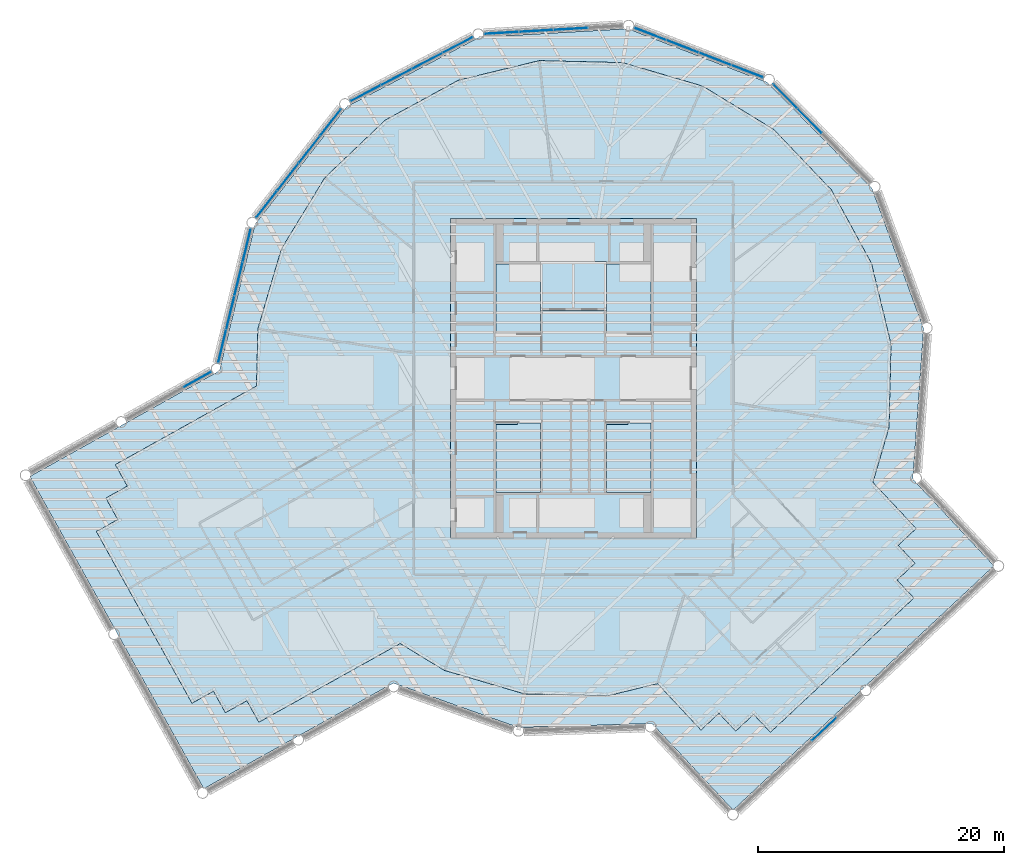
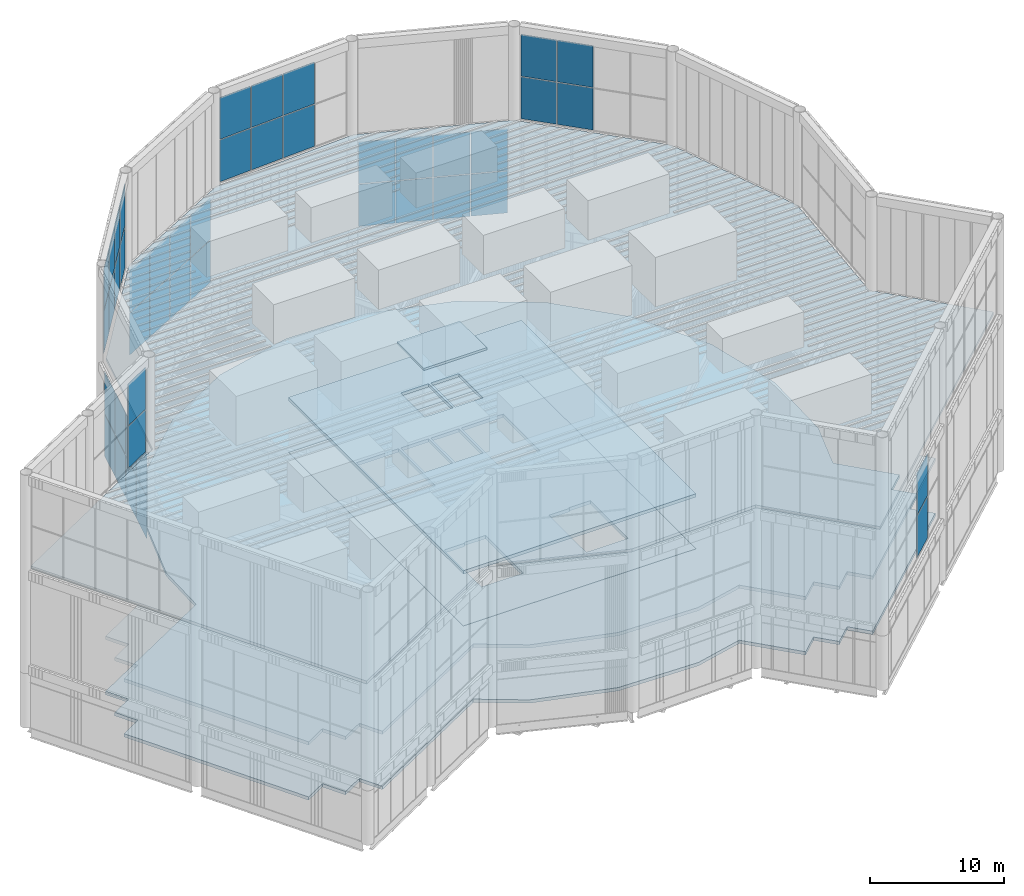
# One storey, part 80 of 117: 46 plates, 6 slabs, 8 elements without a shape of their own.
"""IFC4 building model written with IfcOpenShell, lengths in metres."""

from ifc_helpers import new_model, si_unit, direction, frame, origin, origin_2d, place, context, subcontext, project, spatial, polyline, rectangle, outline, extrude, material, layer, layer_set, type_object, element, aggregate, save


model = new_model("IFC4")

# Units and contexts
model_context = context("Model", 3, precision=1e-05, world=origin(), true_north=direction((0.0, 1.0)))
body_context = subcontext(model_context, "Body", "Model", "MODEL_VIEW")
ifc_project = project(units=[si_unit("LENGTHUNIT", "METRE"), si_unit("AREAUNIT", "SQUARE_METRE"), si_unit("VOLUMEUNIT", "CUBIC_METRE"), si_unit("PLANEANGLEUNIT", "RADIAN"), si_unit("MASSUNIT", "GRAM", prefix="KILO")], contexts=[model_context])

# Site, building, storey
site_placement = place(None, origin())
site = spatial("IfcSite", under=ifc_project, at=site_placement, CompositionType="ELEMENT")
building_placement = place(site_placement, origin())
building = spatial("IfcBuilding", under=site, at=building_placement, Name="Tarsis Ring Headquarters", CompositionType="ELEMENT")
storey_placement = place(building_placement, frame((0.0, 0.0, 403.60009765625)))
storey = spatial("IfcBuildingStorey", under=building, at=storey_placement, Name="L95", CompositionType="ELEMENT", Elevation=403.60009765625)

# Slabs
ifc_material_1 = material(Name="Concrete C40/50", Category="concrete")
ifc_layer_1 = layer(ifc_material_1, 0.300048828125)
ifc_layer_set_1 = layer_set([ifc_layer_1], Name="Core floor slab 300 C40/50")
slab_type_1 = type_object("IfcSlabType", Name="Core floor slab 300 C40/50", PredefinedType="FLOOR", material=ifc_layer_set_1)
slab_1_placement = place(storey_placement, frame((0.0, 0.0, -0.300048828125)))
element("IfcSlab", 1, at=slab_1_placement, inside=storey, type_object=slab_type_1, Name="L95 core floor slab", PredefinedType="FLOOR", context=body_context, shape_type="SweptSolid", body=[
    extrude(outline(polyline([(-10.0, -13.0), (10.0, -13.0), (10.0, 13.0), (-10.0, 13.0), (-10.0, -13.0)]), holes=[polyline([(-2.5, 5.699951171875), (-0.10009765625, 5.699951171875), (-0.10009765625, 9.300048828125), (-2.5, 9.300048828125), (-2.5, 5.699951171875)]), polyline([(0.10009765625, 5.699951171875), (2.5, 5.699951171875), (2.5, 9.300048828125), (0.10009765625, 9.300048828125), (0.10009765625, 5.699951171875)]), polyline([(-2.699951171875, 3.760009765625), (-2.699951171875, 9.300048828125), (-6.300048828125, 9.300048828125), (-6.300048828125, 3.659912109375), (-4.4599609375, 3.659912109375), (-4.4599609375, 3.760009765625), (-2.699951171875, 3.760009765625)]), polyline([(6.300048828125, 3.760009765625), (6.300048828125, 9.300048828125), (2.699951171875, 9.300048828125), (2.699951171875, 3.659912109375), (4.5400390625, 3.659912109375), (4.5400390625, 3.760009765625), (6.300048828125, 3.760009765625)]), polyline([(-6.300048828125, -3.760009765625), (-6.300048828125, -9.300048828125), (-2.699951171875, -9.300048828125), (-2.699951171875, -3.659912109375), (-4.5400390625, -3.659912109375), (-4.5400390625, -3.760009765625), (-6.300048828125, -3.760009765625)]), polyline([(2.699951171875, -3.760009765625), (2.699951171875, -9.300048828125), (6.300048828125, -9.300048828125), (6.300048828125, -3.659912109375), (4.4599609375, -3.659912109375), (4.4599609375, -3.760009765625), (2.699951171875, -3.760009765625)])]), origin(), (0.0, 0.0, 1.0), 0.300048828125),
])
ifc_layer_2 = layer(ifc_material_1, 0.300048828125)
ifc_layer_set_2 = layer_set([ifc_layer_2], Name="Core roof slab 300 C40/50")
slab_type_2 = type_object("IfcSlabType", Name="Core roof slab 300 C40/50", PredefinedType="ROOF", material=ifc_layer_set_2)
slab_2_placement = place(storey_placement, frame((0.0, 0.0, 4.699951171875)))
element("IfcSlab", 2, at=slab_2_placement, inside=storey, type_object=slab_type_2, Name="Core roof slab", PredefinedType="ROOF", context=body_context, shape_type="SweptSolid", body=[
    extrude(outline(polyline([(-10.0, -13.0), (10.0, -13.0), (10.0, 13.0), (-10.0, 13.0), (-10.0, -13.0)]), holes=[polyline([(-2.5, 5.699951171875), (-0.10009765625, 5.699951171875), (-0.10009765625, 9.300048828125), (-2.5, 9.300048828125), (-2.5, 5.699951171875)]), polyline([(0.10009765625, 5.699951171875), (2.5, 5.699951171875), (2.5, 9.300048828125), (0.10009765625, 9.300048828125), (0.10009765625, 5.699951171875)])]), origin(), (0.0, 0.0, 1.0), 0.300048828125),
])

# Curtain wall, plates
ifc_material_2 = material(Name="Aluminium curtain wall", Category="aluminium")
ifc_layer_3 = layer(ifc_material_2, 0.179931640625)
ifc_layer_set_3 = layer_set([ifc_layer_3], Name="Curtain wall crown glazing")
curtain_wall_type = type_object("IfcCurtainWallType", Name="Curtain wall crown glazing", PredefinedType="NOTDEFINED", material=ifc_layer_set_3)
curtain_wall_1_placement = place(storey_placement, origin())
curtain_wall_1 = element("IfcCurtainWall", 3, at=curtain_wall_1_placement, inside=storey, type_object=curtain_wall_type, Name="Crown glazing L3", PredefinedType="NOTDEFINED")
ifc_material_3 = material(Name="Clear double glazing", Category="glass")
ifc_layer_4 = layer(ifc_material_3, 0.031982421875)
ifc_layer_set_4 = layer_set([ifc_layer_4], Name="Crown glazing glass panel")
plate_type = type_object("IfcPlateType", Name="Crown glazing glass panel", PredefinedType="CURTAIN_PANEL", material=ifc_layer_set_4)
plate_1_placement = place(storey_placement, frame((20.41259765625, -28.561279296875, 5.869873046875), z_axis=(0.0, 0.0, 1.0), x_axis=(0.729923774312, 0.683528553678, 0.0)))
plate_1 = element("IfcPlate", 4, at=plate_1_placement, type_object=plate_type, Name="CW-C panel 4.1", PredefinedType="CURTAIN_PANEL", context=body_context, shape_type="SweptSolid", body=[
    extrude(rectangle(XDim=2.707275390625, YDim=0.031982421875, at=origin_2d()), origin(), (0.0, 0.0, 1.0), 3.794921875),
])
plate_2_placement = place(storey_placement, frame((20.41259765625, -28.561279296875, 9.73486328125), z_axis=(0.0, 0.0, 1.0), x_axis=(0.729923774312, 0.683528553678, 0.0)))
plate_2 = element("IfcPlate", 5, at=plate_2_placement, type_object=plate_type, Name="CW-C panel 4.2", PredefinedType="CURTAIN_PANEL", context=body_context, shape_type="SweptSolid", body=[
    extrude(rectangle(XDim=2.707275390625, YDim=0.031982421875, at=origin_2d()), origin(), (0.0, 0.0, 1.0), 3.794921875),
])
aggregate(curtain_wall_1, [plate_1, plate_2])

curtain_wall_2_placement = place(storey_placement, origin())
curtain_wall_2 = element("IfcCurtainWall", 6, at=curtain_wall_2_placement, inside=storey, type_object=curtain_wall_type, Name="Crown glazing L9", PredefinedType="NOTDEFINED")
plate_3_placement = place(storey_placement, frame((14.150390625, 24.97998046875, 5.869873046875), z_axis=(0.0, 0.0, 1.0), x_axis=(-0.933259536423, 0.359202780717, 0.0)))
plate_3 = element("IfcPlate", 7, at=plate_3_placement, type_object=plate_type, Name="CW-C panel 1.1", PredefinedType="CURTAIN_PANEL", context=body_context, shape_type="SweptSolid", body=[
    extrude(rectangle(XDim=2.728759765625, YDim=0.031982421875, at=origin_2d()), origin(), (0.0, 0.0, 1.0), 3.794921875),
])
plate_4_placement = place(storey_placement, frame((14.150390625, 24.97998046875, 9.73486328125), z_axis=(0.0, 0.0, 1.0), x_axis=(-0.933259536423, 0.359202780717, 0.0)))
plate_4 = element("IfcPlate", 8, at=plate_4_placement, type_object=plate_type, Name="CW-C panel 1.2", PredefinedType="CURTAIN_PANEL", context=body_context, shape_type="SweptSolid", body=[
    extrude(rectangle(XDim=2.728759765625, YDim=0.031982421875, at=origin_2d()), origin(), (0.0, 0.0, 1.0), 3.794921875),
])
plate_5_placement = place(storey_placement, frame((11.52197265625, 25.991455078125, 5.869873046875), z_axis=(0.0, 0.0, 1.0), x_axis=(-0.933259536423, 0.359202780717, 0.0)))
plate_5 = element("IfcPlate", 9, at=plate_5_placement, type_object=plate_type, Name="CW-C panel 2.1", PredefinedType="CURTAIN_PANEL", context=body_context, shape_type="SweptSolid", body=[
    extrude(rectangle(XDim=2.763671875, YDim=0.031982421875, at=origin_2d()), origin(), (0.0, 0.0, 1.0), 3.794921875),
])
plate_6_placement = place(storey_placement, frame((11.52197265625, 25.991455078125, 9.73486328125), z_axis=(0.0, 0.0, 1.0), x_axis=(-0.933259536423, 0.359202780717, 0.0)))
plate_6 = element("IfcPlate", 10, at=plate_6_placement, type_object=plate_type, Name="CW-C panel 2.2", PredefinedType="CURTAIN_PANEL", context=body_context, shape_type="SweptSolid", body=[
    extrude(rectangle(XDim=2.763671875, YDim=0.031982421875, at=origin_2d()), origin(), (0.0, 0.0, 1.0), 3.794921875),
])
plate_7_placement = place(storey_placement, frame((8.87744140625, 27.00927734375, 5.869873046875), z_axis=(0.0, 0.0, 1.0), x_axis=(-0.933259536423, 0.359202780717, 0.0)))
plate_7 = element("IfcPlate", 11, at=plate_7_placement, type_object=plate_type, Name="CW-C panel 3.1", PredefinedType="CURTAIN_PANEL", context=body_context, shape_type="SweptSolid", body=[
    extrude(rectangle(XDim=2.763671875, YDim=0.031982421875, at=origin_2d()), origin(), (0.0, 0.0, 1.0), 3.794921875),
])
plate_8_placement = place(storey_placement, frame((8.87744140625, 27.00927734375, 9.73486328125), z_axis=(0.0, 0.0, 1.0), x_axis=(-0.933259536423, 0.359202780717, 0.0)))
plate_8 = element("IfcPlate", 12, at=plate_8_placement, type_object=plate_type, Name="CW-C panel 3.2", PredefinedType="CURTAIN_PANEL", context=body_context, shape_type="SweptSolid", body=[
    extrude(rectangle(XDim=2.763671875, YDim=0.031982421875, at=origin_2d()), origin(), (0.0, 0.0, 1.0), 3.794921875),
])
plate_9_placement = place(storey_placement, frame((6.249267578125, 28.02099609375, 5.869873046875), z_axis=(0.0, 0.0, 1.0), x_axis=(-0.933259536423, 0.359202780717, 0.0)))
plate_9 = element("IfcPlate", 13, at=plate_9_placement, type_object=plate_type, Name="CW-C panel 4.1", PredefinedType="CURTAIN_PANEL", context=body_context, shape_type="SweptSolid", body=[
    extrude(rectangle(XDim=2.728759765625, YDim=0.031982421875, at=origin_2d()), origin(), (0.0, 0.0, 1.0), 3.794921875),
])
plate_10_placement = place(storey_placement, frame((6.249267578125, 28.02099609375, 9.73486328125), z_axis=(0.0, 0.0, 1.0), x_axis=(-0.933259536423, 0.359202780717, 0.0)))
plate_10 = element("IfcPlate", 14, at=plate_10_placement, type_object=plate_type, Name="CW-C panel 4.2", PredefinedType="CURTAIN_PANEL", context=body_context, shape_type="SweptSolid", body=[
    extrude(rectangle(XDim=2.728759765625, YDim=0.031982421875, at=origin_2d()), origin(), (0.0, 0.0, 1.0), 3.794921875),
])
aggregate(curtain_wall_2, [plate_3, plate_4, plate_5, plate_6, plate_7, plate_8, plate_9, plate_10])

curtain_wall_3_placement = place(storey_placement, origin())
curtain_wall_3 = element("IfcCurtainWall", 15, at=curtain_wall_3_placement, inside=storey, type_object=curtain_wall_type, Name="Crown glazing L11", PredefinedType="NOTDEFINED")
plate_11_placement = place(storey_placement, frame((-9.420166015625, 27.119873046875, 5.869873046875), z_axis=(0.0, 0.0, 1.0), x_axis=(-0.885930657284, -0.463817712561, 0.0)))
plate_11 = element("IfcPlate", 16, at=plate_11_placement, type_object=plate_type, Name="CW-C panel 1.1", PredefinedType="CURTAIN_PANEL", context=body_context, shape_type="SweptSolid", body=[
    extrude(rectangle(XDim=2.728759765625, YDim=0.031982421875, at=origin_2d()), origin(), (0.0, 0.0, 1.0), 3.794921875),
])
plate_12_placement = place(storey_placement, frame((-9.420166015625, 27.119873046875, 9.73486328125), z_axis=(0.0, 0.0, 1.0), x_axis=(-0.885930657284, -0.463817712561, 0.0)))
plate_12 = element("IfcPlate", 17, at=plate_12_placement, type_object=plate_type, Name="CW-C panel 1.2", PredefinedType="CURTAIN_PANEL", context=body_context, shape_type="SweptSolid", body=[
    extrude(rectangle(XDim=2.728759765625, YDim=0.031982421875, at=origin_2d()), origin(), (0.0, 0.0, 1.0), 3.794921875),
])
plate_13_placement = place(storey_placement, frame((-11.9150390625, 25.813720703125, 5.869873046875), z_axis=(0.0, 0.0, 1.0), x_axis=(-0.885930657284, -0.463817712561, 0.0)))
plate_13 = element("IfcPlate", 18, at=plate_13_placement, type_object=plate_type, Name="CW-C panel 2.1", PredefinedType="CURTAIN_PANEL", context=body_context, shape_type="SweptSolid", body=[
    extrude(rectangle(XDim=2.763671875, YDim=0.031982421875, at=origin_2d()), origin(), (0.0, 0.0, 1.0), 3.794921875),
])
plate_14_placement = place(storey_placement, frame((-11.9150390625, 25.813720703125, 9.73486328125), z_axis=(0.0, 0.0, 1.0), x_axis=(-0.885930657284, -0.463817712561, 0.0)))
plate_14 = element("IfcPlate", 19, at=plate_14_placement, type_object=plate_type, Name="CW-C panel 2.2", PredefinedType="CURTAIN_PANEL", context=body_context, shape_type="SweptSolid", body=[
    extrude(rectangle(XDim=2.763671875, YDim=0.031982421875, at=origin_2d()), origin(), (0.0, 0.0, 1.0), 3.794921875),
])
plate_15_placement = place(storey_placement, frame((-14.425537109375, 24.499267578125, 5.869873046875), z_axis=(0.0, 0.0, 1.0), x_axis=(-0.885930657284, -0.463817712561, 0.0)))
plate_15 = element("IfcPlate", 20, at=plate_15_placement, type_object=plate_type, Name="CW-C panel 3.1", PredefinedType="CURTAIN_PANEL", context=body_context, shape_type="SweptSolid", body=[
    extrude(rectangle(XDim=2.763671875, YDim=0.031982421875, at=origin_2d()), origin(), (0.0, 0.0, 1.0), 3.794921875),
])
plate_16_placement = place(storey_placement, frame((-14.425537109375, 24.499267578125, 9.73486328125), z_axis=(0.0, 0.0, 1.0), x_axis=(-0.885930657284, -0.463817712561, 0.0)))
plate_16 = element("IfcPlate", 21, at=plate_16_placement, type_object=plate_type, Name="CW-C panel 3.2", PredefinedType="CURTAIN_PANEL", context=body_context, shape_type="SweptSolid", body=[
    extrude(rectangle(XDim=2.763671875, YDim=0.031982421875, at=origin_2d()), origin(), (0.0, 0.0, 1.0), 3.794921875),
])
plate_17_placement = place(storey_placement, frame((-16.920654296875, 23.193115234375, 5.869873046875), z_axis=(0.0, 0.0, 1.0), x_axis=(-0.885930657284, -0.463817712561, 0.0)))
plate_17 = element("IfcPlate", 22, at=plate_17_placement, type_object=plate_type, Name="CW-C panel 4.1", PredefinedType="CURTAIN_PANEL", context=body_context, shape_type="SweptSolid", body=[
    extrude(rectangle(XDim=2.728759765625, YDim=0.031982421875, at=origin_2d()), origin(), (0.0, 0.0, 1.0), 3.794921875),
])
plate_18_placement = place(storey_placement, frame((-16.920654296875, 23.193115234375, 9.73486328125), z_axis=(0.0, 0.0, 1.0), x_axis=(-0.885930657284, -0.463817712561, 0.0)))
plate_18 = element("IfcPlate", 23, at=plate_18_placement, type_object=plate_type, Name="CW-C panel 4.2", PredefinedType="CURTAIN_PANEL", context=body_context, shape_type="SweptSolid", body=[
    extrude(rectangle(XDim=2.728759765625, YDim=0.031982421875, at=origin_2d()), origin(), (0.0, 0.0, 1.0), 3.794921875),
])
aggregate(curtain_wall_3, [plate_11, plate_12, plate_13, plate_14, plate_15, plate_16, plate_17, plate_18])

curtain_wall_4_placement = place(storey_placement, origin())
curtain_wall_4 = element("IfcCurtainWall", 24, at=curtain_wall_4_placement, inside=storey, type_object=curtain_wall_type, Name="Crown glazing L13", PredefinedType="NOTDEFINED")
plate_19_placement = place(storey_placement, frame((-26.588623046875, 10.8291015625, 5.869873046875), z_axis=(0.0, 0.0, 1.0), x_axis=(-0.236520601779, -0.971626473978, 0.0)))
plate_19 = element("IfcPlate", 25, at=plate_19_placement, type_object=plate_type, Name="CW-C panel 1.1", PredefinedType="CURTAIN_PANEL", context=body_context, shape_type="SweptSolid", body=[
    extrude(rectangle(XDim=2.728759765625, YDim=0.031982421875, at=origin_2d()), origin(), (0.0, 0.0, 1.0), 3.794921875),
])
plate_20_placement = place(storey_placement, frame((-26.588623046875, 10.8291015625, 9.73486328125), z_axis=(0.0, 0.0, 1.0), x_axis=(-0.236520601779, -0.971626473978, 0.0)))
plate_20 = element("IfcPlate", 26, at=plate_20_placement, type_object=plate_type, Name="CW-C panel 1.2", PredefinedType="CURTAIN_PANEL", context=body_context, shape_type="SweptSolid", body=[
    extrude(rectangle(XDim=2.728759765625, YDim=0.031982421875, at=origin_2d()), origin(), (0.0, 0.0, 1.0), 3.794921875),
])
plate_21_placement = place(storey_placement, frame((-27.254638671875, 8.0927734375, 5.869873046875), z_axis=(0.0, 0.0, 1.0), x_axis=(-0.236520601779, -0.971626473978, 0.0)))
plate_21 = element("IfcPlate", 27, at=plate_21_placement, type_object=plate_type, Name="CW-C panel 2.1", PredefinedType="CURTAIN_PANEL", context=body_context, shape_type="SweptSolid", body=[
    extrude(rectangle(XDim=2.763671875, YDim=0.031982421875, at=origin_2d()), origin(), (0.0, 0.0, 1.0), 3.794921875),
])
plate_22_placement = place(storey_placement, frame((-27.254638671875, 8.0927734375, 9.73486328125), z_axis=(0.0, 0.0, 1.0), x_axis=(-0.236520601779, -0.971626473978, 0.0)))
plate_22 = element("IfcPlate", 28, at=plate_22_placement, type_object=plate_type, Name="CW-C panel 2.2", PredefinedType="CURTAIN_PANEL", context=body_context, shape_type="SweptSolid", body=[
    extrude(rectangle(XDim=2.763671875, YDim=0.031982421875, at=origin_2d()), origin(), (0.0, 0.0, 1.0), 3.794921875),
])
plate_23_placement = place(storey_placement, frame((-27.925048828125, 5.339599609375, 5.869873046875), z_axis=(0.0, 0.0, 1.0), x_axis=(-0.236520601779, -0.971626473978, 0.0)))
plate_23 = element("IfcPlate", 29, at=plate_23_placement, type_object=plate_type, Name="CW-C panel 3.1", PredefinedType="CURTAIN_PANEL", context=body_context, shape_type="SweptSolid", body=[
    extrude(rectangle(XDim=2.763671875, YDim=0.031982421875, at=origin_2d()), origin(), (0.0, 0.0, 1.0), 3.794921875),
])
plate_24_placement = place(storey_placement, frame((-27.925048828125, 5.339599609375, 9.73486328125), z_axis=(0.0, 0.0, 1.0), x_axis=(-0.236520601779, -0.971626473978, 0.0)))
plate_24 = element("IfcPlate", 30, at=plate_24_placement, type_object=plate_type, Name="CW-C panel 3.2", PredefinedType="CURTAIN_PANEL", context=body_context, shape_type="SweptSolid", body=[
    extrude(rectangle(XDim=2.763671875, YDim=0.031982421875, at=origin_2d()), origin(), (0.0, 0.0, 1.0), 3.794921875),
])
plate_25_placement = place(storey_placement, frame((-28.591064453125, 2.603271484375, 5.869873046875), z_axis=(0.0, 0.0, 1.0), x_axis=(-0.236520601779, -0.971626473978, 0.0)))
plate_25 = element("IfcPlate", 31, at=plate_25_placement, type_object=plate_type, Name="CW-C panel 4.1", PredefinedType="CURTAIN_PANEL", context=body_context, shape_type="SweptSolid", body=[
    extrude(rectangle(XDim=2.728759765625, YDim=0.031982421875, at=origin_2d()), origin(), (0.0, 0.0, 1.0), 3.794921875),
])
plate_26_placement = place(storey_placement, frame((-28.591064453125, 2.603271484375, 9.73486328125), z_axis=(0.0, 0.0, 1.0), x_axis=(-0.236520601779, -0.971626473978, 0.0)))
plate_26 = element("IfcPlate", 32, at=plate_26_placement, type_object=plate_type, Name="CW-C panel 4.2", PredefinedType="CURTAIN_PANEL", context=body_context, shape_type="SweptSolid", body=[
    extrude(rectangle(XDim=2.728759765625, YDim=0.031982421875, at=origin_2d()), origin(), (0.0, 0.0, 1.0), 3.794921875),
])
aggregate(curtain_wall_4, [plate_19, plate_20, plate_21, plate_22, plate_23, plate_24, plate_25, plate_26])

curtain_wall_5_placement = place(storey_placement, origin())
curtain_wall_5 = element("IfcCurtainWall", 33, at=curtain_wall_5_placement, inside=storey, type_object=curtain_wall_type, Name="Crown glazing U8", PredefinedType="NOTDEFINED")
plate_27_placement = place(storey_placement, frame((19.22119140625, 20.948974609375, 14.469970703125), z_axis=(0.0, 0.0, 1.0), x_axis=(-0.70223086464, 0.711949304899, 0.0)))
plate_27 = element("IfcPlate", 34, at=plate_27_placement, type_object=plate_type, Name="CW-C panel 3.1", PredefinedType="CURTAIN_PANEL", context=body_context, shape_type="SweptSolid", body=[
    extrude(rectangle(XDim=2.763671875, YDim=0.031982421875, at=origin_2d()), origin(), (0.0, 0.0, 1.0), 3.794921875),
])
plate_28_placement = place(storey_placement, frame((19.22119140625, 20.948974609375, 18.3349609375), z_axis=(0.0, 0.0, 1.0), x_axis=(-0.70223086464, 0.711949304899, 0.0)))
plate_28 = element("IfcPlate", 35, at=plate_28_placement, type_object=plate_type, Name="CW-C panel 3.2", PredefinedType="CURTAIN_PANEL", context=body_context, shape_type="SweptSolid", body=[
    extrude(rectangle(XDim=2.763671875, YDim=0.031982421875, at=origin_2d()), origin(), (0.0, 0.0, 1.0), 3.794921875),
])
plate_29_placement = place(storey_placement, frame((17.24365234375, 22.953857421875, 14.469970703125), z_axis=(0.0, 0.0, 1.0), x_axis=(-0.70223086464, 0.711949304899, 0.0)))
plate_29 = element("IfcPlate", 36, at=plate_29_placement, type_object=plate_type, Name="CW-C panel 4.1", PredefinedType="CURTAIN_PANEL", context=body_context, shape_type="SweptSolid", body=[
    extrude(rectangle(XDim=2.728759765625, YDim=0.031982421875, at=origin_2d()), origin(), (0.0, 0.0, 1.0), 3.794921875),
])
plate_30_placement = place(storey_placement, frame((17.24365234375, 22.953857421875, 18.3349609375), z_axis=(0.0, 0.0, 1.0), x_axis=(-0.70223086464, 0.711949304899, 0.0)))
plate_30 = element("IfcPlate", 37, at=plate_30_placement, type_object=plate_type, Name="CW-C panel 4.2", PredefinedType="CURTAIN_PANEL", context=body_context, shape_type="SweptSolid", body=[
    extrude(rectangle(XDim=2.728759765625, YDim=0.031982421875, at=origin_2d()), origin(), (0.0, 0.0, 1.0), 3.794921875),
])
aggregate(curtain_wall_5, [plate_27, plate_28, plate_29, plate_30])

curtain_wall_6_placement = place(storey_placement, origin())
curtain_wall_6 = element("IfcCurtainWall", 38, at=curtain_wall_6_placement, inside=storey, type_object=curtain_wall_type, Name="Crown glazing U10", PredefinedType="NOTDEFINED")
plate_31_placement = place(storey_placement, frame((-0.2158203125, 28.43017578125, 14.469970703125), z_axis=(0.0, 0.0, 1.0), x_axis=(-0.998350596723, -0.057411549568, 0.0)))
plate_31 = element("IfcPlate", 39, at=plate_31_placement, type_object=plate_type, Name="CW-C panel 2.1", PredefinedType="CURTAIN_PANEL", context=body_context, shape_type="SweptSolid", body=[
    extrude(rectangle(XDim=2.763671875, YDim=0.031982421875, at=origin_2d()), origin(), (0.0, 0.0, 1.0), 3.794921875),
])
plate_32_placement = place(storey_placement, frame((-0.2158203125, 28.43017578125, 18.3349609375), z_axis=(0.0, 0.0, 1.0), x_axis=(-0.998350596723, -0.057411549568, 0.0)))
plate_32 = element("IfcPlate", 40, at=plate_32_placement, type_object=plate_type, Name="CW-C panel 2.2", PredefinedType="CURTAIN_PANEL", context=body_context, shape_type="SweptSolid", body=[
    extrude(rectangle(XDim=2.763671875, YDim=0.031982421875, at=origin_2d()), origin(), (0.0, 0.0, 1.0), 3.794921875),
])
plate_33_placement = place(storey_placement, frame((-3.044677734375, 28.267333984375, 14.469970703125), z_axis=(0.0, 0.0, 1.0), x_axis=(-0.998350596723, -0.057411549568, 0.0)))
plate_33 = element("IfcPlate", 41, at=plate_33_placement, type_object=plate_type, Name="CW-C panel 3.1", PredefinedType="CURTAIN_PANEL", context=body_context, shape_type="SweptSolid", body=[
    extrude(rectangle(XDim=2.763671875, YDim=0.031982421875, at=origin_2d()), origin(), (0.0, 0.0, 1.0), 3.794921875),
])
plate_34_placement = place(storey_placement, frame((-3.044677734375, 28.267333984375, 18.3349609375), z_axis=(0.0, 0.0, 1.0), x_axis=(-0.998350596723, -0.057411549568, 0.0)))
plate_34 = element("IfcPlate", 42, at=plate_34_placement, type_object=plate_type, Name="CW-C panel 3.2", PredefinedType="CURTAIN_PANEL", context=body_context, shape_type="SweptSolid", body=[
    extrude(rectangle(XDim=2.763671875, YDim=0.031982421875, at=origin_2d()), origin(), (0.0, 0.0, 1.0), 3.794921875),
])
plate_35_placement = place(storey_placement, frame((-5.856201171875, 28.105712890625, 14.469970703125), z_axis=(0.0, 0.0, 1.0), x_axis=(-0.998350596723, -0.057411549568, 0.0)))
plate_35 = element("IfcPlate", 43, at=plate_35_placement, type_object=plate_type, Name="CW-C panel 4.1", PredefinedType="CURTAIN_PANEL", context=body_context, shape_type="SweptSolid", body=[
    extrude(rectangle(XDim=2.728759765625, YDim=0.031982421875, at=origin_2d()), origin(), (0.0, 0.0, 1.0), 3.794921875),
])
plate_36_placement = place(storey_placement, frame((-5.856201171875, 28.105712890625, 18.3349609375), z_axis=(0.0, 0.0, 1.0), x_axis=(-0.998350596723, -0.057411549568, 0.0)))
plate_36 = element("IfcPlate", 44, at=plate_36_placement, type_object=plate_type, Name="CW-C panel 4.2", PredefinedType="CURTAIN_PANEL", context=body_context, shape_type="SweptSolid", body=[
    extrude(rectangle(XDim=2.728759765625, YDim=0.031982421875, at=origin_2d()), origin(), (0.0, 0.0, 1.0), 3.794921875),
])
aggregate(curtain_wall_6, [plate_31, plate_32, plate_33, plate_34, plate_35, plate_36])

curtain_wall_7_placement = place(storey_placement, origin())
curtain_wall_7 = element("IfcCurtainWall", 45, at=curtain_wall_7_placement, inside=storey, type_object=curtain_wall_type, Name="Crown glazing U12", PredefinedType="NOTDEFINED")
plate_37_placement = place(storey_placement, frame((-19.76123046875, 20.825927734375, 14.469970703125), z_axis=(0.0, 0.0, 1.0), x_axis=(-0.615988303465, -0.787755298297, 0.0)))
plate_37 = element("IfcPlate", 46, at=plate_37_placement, type_object=plate_type, Name="CW-C panel 1.1", PredefinedType="CURTAIN_PANEL", context=body_context, shape_type="SweptSolid", body=[
    extrude(rectangle(XDim=2.728759765625, YDim=0.031982421875, at=origin_2d()), origin(), (0.0, 0.0, 1.0), 3.794921875),
])
plate_38_placement = place(storey_placement, frame((-19.76123046875, 20.825927734375, 18.3349609375), z_axis=(0.0, 0.0, 1.0), x_axis=(-0.615988303465, -0.787755298297, 0.0)))
plate_38 = element("IfcPlate", 47, at=plate_38_placement, type_object=plate_type, Name="CW-C panel 1.2", PredefinedType="CURTAIN_PANEL", context=body_context, shape_type="SweptSolid", body=[
    extrude(rectangle(XDim=2.728759765625, YDim=0.031982421875, at=origin_2d()), origin(), (0.0, 0.0, 1.0), 3.794921875),
])
plate_39_placement = place(storey_placement, frame((-21.49609375, 18.607421875, 14.469970703125), z_axis=(0.0, 0.0, 1.0), x_axis=(-0.615988303465, -0.787755298297, 0.0)))
plate_39 = element("IfcPlate", 48, at=plate_39_placement, type_object=plate_type, Name="CW-C panel 2.1", PredefinedType="CURTAIN_PANEL", context=body_context, shape_type="SweptSolid", body=[
    extrude(rectangle(XDim=2.763671875, YDim=0.031982421875, at=origin_2d()), origin(), (0.0, 0.0, 1.0), 3.794921875),
])
plate_40_placement = place(storey_placement, frame((-21.49609375, 18.607421875, 18.3349609375), z_axis=(0.0, 0.0, 1.0), x_axis=(-0.615988303465, -0.787755298297, 0.0)))
plate_40 = element("IfcPlate", 49, at=plate_40_placement, type_object=plate_type, Name="CW-C panel 2.2", PredefinedType="CURTAIN_PANEL", context=body_context, shape_type="SweptSolid", body=[
    extrude(rectangle(XDim=2.763671875, YDim=0.031982421875, at=origin_2d()), origin(), (0.0, 0.0, 1.0), 3.794921875),
])
plate_41_placement = place(storey_placement, frame((-23.241455078125, 16.375244140625, 14.469970703125), z_axis=(0.0, 0.0, 1.0), x_axis=(-0.615988303465, -0.787755298297, 0.0)))
plate_41 = element("IfcPlate", 50, at=plate_41_placement, type_object=plate_type, Name="CW-C panel 3.1", PredefinedType="CURTAIN_PANEL", context=body_context, shape_type="SweptSolid", body=[
    extrude(rectangle(XDim=2.763671875, YDim=0.031982421875, at=origin_2d()), origin(), (0.0, 0.0, 1.0), 3.794921875),
])
plate_42_placement = place(storey_placement, frame((-23.241455078125, 16.375244140625, 18.3349609375), z_axis=(0.0, 0.0, 1.0), x_axis=(-0.615988303465, -0.787755298297, 0.0)))
plate_42 = element("IfcPlate", 51, at=plate_42_placement, type_object=plate_type, Name="CW-C panel 3.2", PredefinedType="CURTAIN_PANEL", context=body_context, shape_type="SweptSolid", body=[
    extrude(rectangle(XDim=2.763671875, YDim=0.031982421875, at=origin_2d()), origin(), (0.0, 0.0, 1.0), 3.794921875),
])
plate_43_placement = place(storey_placement, frame((-24.976318359375, 14.15673828125, 14.469970703125), z_axis=(0.0, 0.0, 1.0), x_axis=(-0.615988303465, -0.787755298297, 0.0)))
plate_43 = element("IfcPlate", 52, at=plate_43_placement, type_object=plate_type, Name="CW-C panel 4.1", PredefinedType="CURTAIN_PANEL", context=body_context, shape_type="SweptSolid", body=[
    extrude(rectangle(XDim=2.728759765625, YDim=0.031982421875, at=origin_2d()), origin(), (0.0, 0.0, 1.0), 3.794921875),
])
plate_44_placement = place(storey_placement, frame((-24.976318359375, 14.15673828125, 18.3349609375), z_axis=(0.0, 0.0, 1.0), x_axis=(-0.615988303465, -0.787755298297, 0.0)))
plate_44 = element("IfcPlate", 53, at=plate_44_placement, type_object=plate_type, Name="CW-C panel 4.2", PredefinedType="CURTAIN_PANEL", context=body_context, shape_type="SweptSolid", body=[
    extrude(rectangle(XDim=2.728759765625, YDim=0.031982421875, at=origin_2d()), origin(), (0.0, 0.0, 1.0), 3.794921875),
])
aggregate(curtain_wall_7, [plate_37, plate_38, plate_39, plate_40, plate_41, plate_42, plate_43, plate_44])

curtain_wall_8_placement = place(storey_placement, origin())
curtain_wall_8 = element("IfcCurtainWall", 54, at=curtain_wall_8_placement, inside=storey, type_object=curtain_wall_type, Name="Crown glazing U14", PredefinedType="NOTDEFINED")
plate_45_placement = place(storey_placement, frame((-30.615966796875, -0.11328125, 14.469970703125), z_axis=(0.0, 0.0, 1.0), x_axis=(-0.873602436748, -0.486640300948, 0.0)))
plate_45 = element("IfcPlate", 55, at=plate_45_placement, type_object=plate_type, Name="CW-C panel 1.1", PredefinedType="CURTAIN_PANEL", context=body_context, shape_type="SweptSolid", body=[
    extrude(rectangle(XDim=2.557861328125, YDim=0.031982421875, at=origin_2d()), origin(), (0.0, 0.0, 1.0), 3.794921875),
])
plate_46_placement = place(storey_placement, frame((-30.615966796875, -0.11328125, 18.3349609375), z_axis=(0.0, 0.0, 1.0), x_axis=(-0.873602436748, -0.486640300948, 0.0)))
plate_46 = element("IfcPlate", 56, at=plate_46_placement, type_object=plate_type, Name="CW-C panel 1.2", PredefinedType="CURTAIN_PANEL", context=body_context, shape_type="SweptSolid", body=[
    extrude(rectangle(XDim=2.557861328125, YDim=0.031982421875, at=origin_2d()), origin(), (0.0, 0.0, 1.0), 3.794921875),
])
aggregate(curtain_wall_8, [plate_45, plate_46])

# Slabs
ifc_layer_5 = layer(ifc_material_1, 0.25)
ifc_layer_set_5 = layer_set([ifc_layer_5], Name="Crown louvre roof deck 250")
slab_type_3 = type_object("IfcSlabType", Name="Crown louvre roof deck 250", PredefinedType="ROOF", material=ifc_layer_set_5)
slab_3_placement = place(storey_placement, frame((0.0, 0.0, 14.14990234375)))
element("IfcSlab", 57, at=slab_3_placement, inside=storey, type_object=slab_type_3, Name="Crown roof deck", PredefinedType="ROOF", context=body_context, shape_type="SweptSolid", body=[
    extrude(outline(polyline([(-4.44482421875, -28.448974609375), (-14.65673828125, -24.81982421875), (-22.532470703125, -29.20703125), (-30.091064453125, -33.41748046875), (-37.171875, -20.70654296875), (-44.25244140625, -7.99560546875), (-36.69384765625, -3.78515625), (-28.8212890625, 0.600341796875), (-25.9111328125, 12.55517578125), (-18.432373046875, 22.119384765625), (-7.67626953125, 27.750732421875), (4.444580078125, 28.44775390625), (15.775390625, 24.086669921875), (24.301025390625, 15.44287109375), (28.506103515625, 4.05322265625), (27.630859375, -8.2197265625), (34.236328125, -15.2734375), (23.615966796875, -25.21875), (12.99560546875, -35.164306640625), (6.387451171875, -28.107666015625), (-4.44482421875, -28.448974609375)])), origin(), (0.0, 0.0, 1.0), 0.25),
])
ifc_material_4 = material(Name="Concrete C35/45", Category="concrete")
ifc_layer_6 = layer(ifc_material_4, 0.300048828125)
ifc_layer_set_6 = layer_set([ifc_layer_6], Name="FS Composite floor slab 300")
slab_type_4 = type_object("IfcSlabType", Name="FS Composite floor slab 300", PredefinedType="FLOOR", material=ifc_layer_set_6)
slab_4_placement = place(storey_placement, frame((0.0, 0.0, -0.300048828125)))
element("IfcSlab", 58, at=slab_4_placement, inside=storey, type_object=slab_type_4, Name="Floor slab L95", PredefinedType="FLOOR", context=body_context, shape_type="SweptSolid", body=[
    extrude(outline(polyline([(-14.10302734375, -21.59228515625), (-10.525390625, -23.774169921875), (-4.013427734375, -25.6884765625), (2.77197265625, -25.851806640625), (6.844482421875, -24.864990234375), (10.379638671875, -28.64013671875), (11.839599609375, -27.273193359375), (13.20654296875, -28.73291015625), (14.66650390625, -27.365966796875), (16.033447265625, -28.82568359375), (27.71240234375, -17.889404296875), (26.34521484375, -16.429443359375), (27.80517578125, -15.0625), (26.43798828125, -13.6025390625), (27.89794921875, -12.235595703125), (24.376708984375, -8.4755859375), (25.6884765625, -4.013427734375), (25.851806640625, 2.77197265625), (24.25341796875, 9.368408203125), (21.00244140625, 15.326416015625), (16.320068359375, 20.239990234375), (10.525390625, 23.774169921875), (4.013427734375, 25.6884765625), (-2.77197265625, 25.851806640625), (-9.368408203125, 24.25341796875), (-15.326416015625, 21.00244140625), (-20.239990234375, 16.320068359375), (-23.774169921875, 10.525390625), (-25.6884765625, 4.013427734375), (-25.80029296875, -0.635986328125), (-37.289306640625, -7.035888671875), (-36.316162109375, -8.782958984375), (-38.063232421875, -9.75634765625), (-37.090087890625, -11.50341796875), (-38.837158203125, -12.476806640625), (-31.051025390625, -26.454345703125), (-29.3037109375, -25.481201171875), (-28.33056640625, -27.228271484375), (-26.583251953125, -26.255126953125), (-25.610107421875, -28.002197265625), (-14.10302734375, -21.59228515625)]), holes=[polyline([(-10.0, -13.0), (-10.0, 13.0), (10.0, 13.0), (10.0, -13.0), (-10.0, -13.0)])]), origin(), (0.0, 0.0, 1.0), 0.300048828125),
])
ifc_layer_7 = layer(ifc_material_4, 0.300048828125)
ifc_layer_set_7 = layer_set([ifc_layer_7], Name="FS Roof slab 300")
slab_type_5 = type_object("IfcSlabType", Name="FS Roof slab 300", PredefinedType="ROOF", material=ifc_layer_set_7)
slab_5_placement = place(storey_placement, frame((0.0, 0.0, 4.699951171875)))
element("IfcSlab", 59, at=slab_5_placement, inside=storey, type_object=slab_type_5, Name="Roof slab L95", PredefinedType="ROOF", context=body_context, shape_type="SweptSolid", body=[
    extrude(outline(polyline([(-14.10302734375, -21.59228515625), (-10.525390625, -23.774169921875), (-4.013427734375, -25.6884765625), (2.77197265625, -25.851806640625), (6.844482421875, -24.864990234375), (10.379638671875, -28.64013671875), (11.839599609375, -27.273193359375), (13.20654296875, -28.73291015625), (14.66650390625, -27.365966796875), (16.033447265625, -28.82568359375), (27.71240234375, -17.889404296875), (26.34521484375, -16.429443359375), (27.80517578125, -15.0625), (26.43798828125, -13.6025390625), (27.89794921875, -12.235595703125), (24.376708984375, -8.4755859375), (25.6884765625, -4.013427734375), (25.851806640625, 2.77197265625), (24.25341796875, 9.368408203125), (21.00244140625, 15.326416015625), (16.320068359375, 20.239990234375), (10.525390625, 23.774169921875), (4.013427734375, 25.6884765625), (-2.77197265625, 25.851806640625), (-9.368408203125, 24.25341796875), (-15.326416015625, 21.00244140625), (-20.239990234375, 16.320068359375), (-23.774169921875, 10.525390625), (-25.6884765625, 4.013427734375), (-25.80029296875, -0.635986328125), (-37.289306640625, -7.035888671875), (-36.316162109375, -8.782958984375), (-38.063232421875, -9.75634765625), (-37.090087890625, -11.50341796875), (-38.837158203125, -12.476806640625), (-31.051025390625, -26.454345703125), (-29.3037109375, -25.481201171875), (-28.33056640625, -27.228271484375), (-26.583251953125, -26.255126953125), (-25.610107421875, -28.002197265625), (-14.10302734375, -21.59228515625)]), holes=[polyline([(-10.0, -13.0), (-10.0, 13.0), (10.0, 13.0), (10.0, -13.0), (-10.0, -13.0)])]), origin(), (0.0, 0.0, 1.0), 0.300048828125),
])
ifc_material_5 = material(Name="Concrete C32/40", Category="concrete")
ifc_layer_8 = layer(ifc_material_5, 0.199951171875)
ifc_layer_set_8 = layer_set([ifc_layer_8], Name="Lift overrun roof 200 C32/40")
slab_type_6 = type_object("IfcSlabType", Name="Lift overrun roof 200 C32/40", PredefinedType="ROOF", material=ifc_layer_set_8)
slab_6_placement = place(storey_placement, frame((0.0, 0.0, 9.39990234375)))
element("IfcSlab", 60, at=slab_6_placement, inside=storey, type_object=slab_type_6, Name="Lift overrun roof", PredefinedType="ROOF", context=body_context, shape_type="SweptSolid", body=[
    extrude(outline(polyline([(-2.699951171875, 5.5), (2.699951171875, 5.5), (2.699951171875, 9.5), (-2.699951171875, 9.5), (-2.699951171875, 5.5)])), origin(), (0.0, 0.0, 1.0), 0.199951171875),
])

save(model, "model.ifc")
